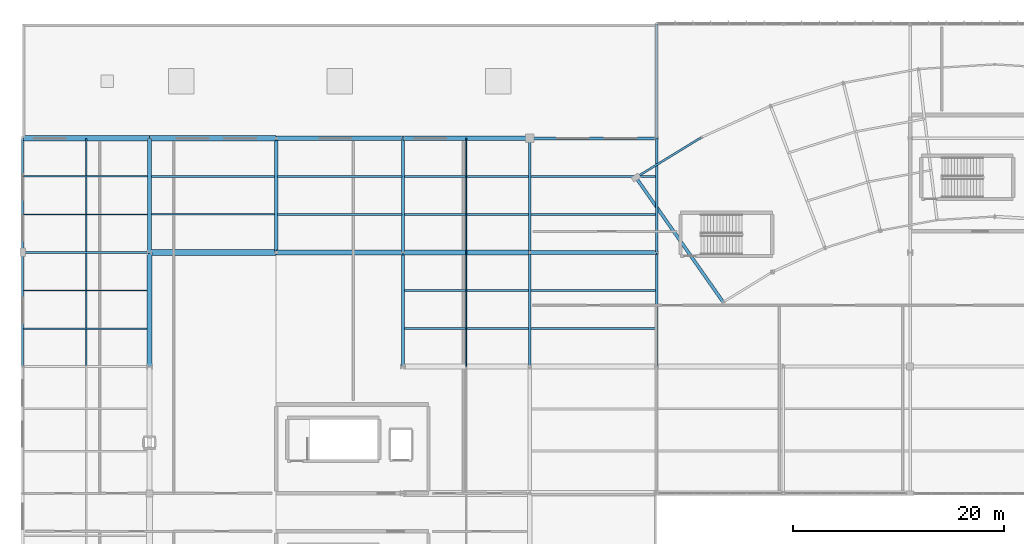
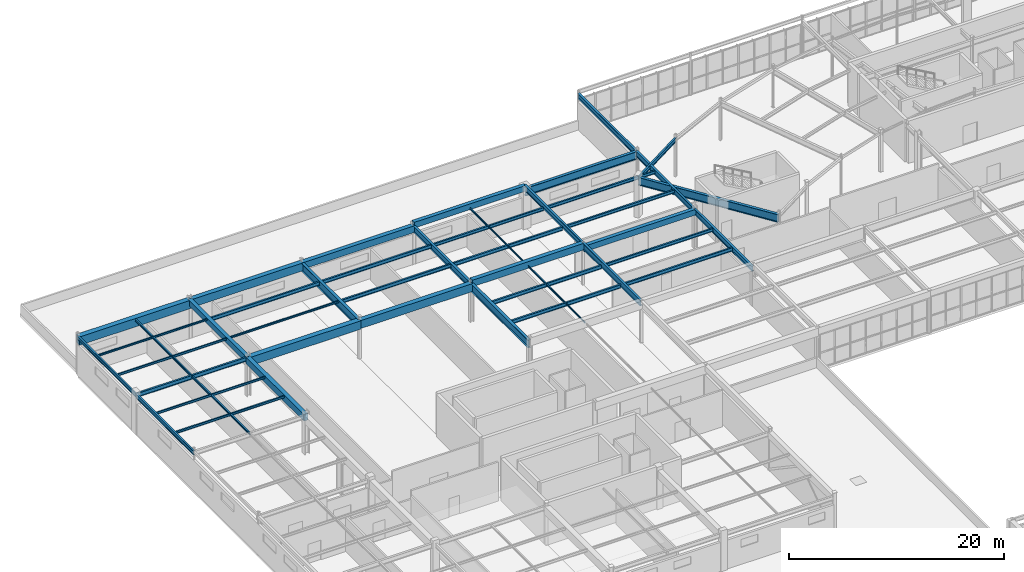
# One storey, part 72 of 186: 40 beams, 2 members.
"""IFC4 building model written with IfcOpenShell, lengths in metres."""

from ifc_helpers import new_model, si_unit, direction, frame, origin, origin_2d, place, context, subcontext, project, spatial, rectangle, i_section, extrude, material, material_profile, profile_set, type_object, element, save


model = new_model("IFC4")

# Units and contexts
model_context = context("Model", 3, precision=1e-05, world=origin(), true_north=direction((0.0, 1.0)))
body_context = subcontext(model_context, "Body", "Model", "MODEL_VIEW")
ifc_project = project(units=[si_unit("LENGTHUNIT", "METRE"), si_unit("AREAUNIT", "SQUARE_METRE"), si_unit("VOLUMEUNIT", "CUBIC_METRE"), si_unit("PLANEANGLEUNIT", "RADIAN"), si_unit("MASSUNIT", "GRAM", prefix="KILO")], contexts=[model_context])

# Site, building, storey
site_placement = place(None, origin())
site = spatial("IfcSite", under=ifc_project, at=site_placement, CompositionType="ELEMENT")
building_placement = place(site_placement, origin())
building = spatial("IfcBuilding", under=site, at=building_placement, Name="Tarnwether General Hospital", CompositionType="ELEMENT")
storey_placement = place(building_placement, frame((0.0, 0.0, 9.60009765625)))
storey = spatial("IfcBuildingStorey", under=building, at=storey_placement, Name="L02", CompositionType="ELEMENT", Elevation=9.60009765625)

# Beams
ifc_material_1 = material(Name="Steel Grade 350 (350 MPa)", Category="steel")
ifc_material_profile_1 = material_profile(ifc_material_1, i_section(OverallWidth=0.300048828125, OverallDepth=0.89990234375, WebThickness=0.011962890625, FlangeThickness=0.02001953125, at=origin_2d()), Name="900WB175")
ifc_profile_set_1 = profile_set([ifc_material_profile_1], Name="Steel Grade 350 (350 MPa)")
beam_type_1 = type_object("IfcBeamType", Name="BM-G01", PredefinedType="BEAM", material=ifc_profile_set_1)
beam_1_placement = place(storey_placement, frame((24.0, 104.39990234375, 3.97998046875), z_axis=(0.0, 1.0, 0.0), x_axis=(-1.0, 0.0, 0.0)))
element("IfcBeam", 1, at=beam_1_placement, inside=storey, type_object=beam_type_1, Name="Primary Girder BMG-L02-2400_10440-2400_11520-1465", PredefinedType="BEAM", context=body_context, shape_type="SweptSolid", body=[
    extrude(i_section(OverallWidth=0.300048828125, OverallDepth=0.89990234375, WebThickness=0.011962890625, FlangeThickness=0.02001953125, at=origin_2d()), origin(), (0.0, 0.0, 1.0), 10.800048828125),
])
beam_2_placement = place(storey_placement, frame((36.0, 93.60009765625, 3.97998046875), z_axis=(0.0, 1.0, 0.0), x_axis=(-1.0, 0.0, 0.0)))
element("IfcBeam", 2, at=beam_2_placement, inside=storey, type_object=beam_type_1, Name="Primary Girder BMG-L02-3600_9360-3600_10440-1472", PredefinedType="BEAM", context=body_context, shape_type="SweptSolid", body=[
    extrude(i_section(OverallWidth=0.300048828125, OverallDepth=0.89990234375, WebThickness=0.011962890625, FlangeThickness=0.02001953125, at=origin_2d()), origin(), (0.0, 0.0, 1.0), 10.7998046875),
])
beam_3_placement = place(storey_placement, frame((48.0, 115.199951171875, 3.97998046875), z_axis=(1.0, 0.0, 0.0), x_axis=(0.0, 1.0, 0.0)))
element("IfcBeam", 3, at=beam_3_placement, inside=storey, type_object=beam_type_1, Name="Primary Girder BMG-L02-4800_11520-6000_11520-1484", PredefinedType="BEAM", context=body_context, shape_type="SweptSolid", body=[
    extrude(i_section(OverallWidth=0.300048828125, OverallDepth=0.89990234375, WebThickness=0.011962890625, FlangeThickness=0.02001953125, at=origin_2d()), origin(), (0.0, 0.0, 1.0), 12.0),
])
beam_4_placement = place(storey_placement, frame((58.0439453125, 111.493896484375, 3.97998046875), z_axis=(0.573596601347, -0.819137924237, 0.0), x_axis=(0.819137924237, 0.573596601347, 0.0)))
element("IfcBeam", 4, at=beam_4_placement, inside=storey, type_object=beam_type_1, Name="Curved Ward NW Radial Girder BMG-L02-5804_11149-6630_9970-1885", PredefinedType="BEAM", context=body_context, shape_type="SweptSolid", body=[
    extrude(i_section(OverallWidth=0.300048828125, OverallDepth=0.89990234375, WebThickness=0.011962890625, FlangeThickness=0.02001953125, at=origin_2d()), origin(), (0.0, 0.0, 1.0), 14.400390625),
])
ifc_material_2 = material(Name="Steel Grade 350 (350 MPa)", Category="steel")
ifc_material_profile_2 = material_profile(ifc_material_2, i_section(OverallWidth=0.25, OverallDepth=0.69189453125, WebThickness=0.009033203125, FlangeThickness=0.01611328125, at=origin_2d()), Name="700WB115")
ifc_profile_set_2 = profile_set([ifc_material_profile_2], Name="Steel Grade 350 (350 MPa)")
beam_type_2 = type_object("IfcBeamType", Name="BM-G02", PredefinedType="BEAM", material=ifc_profile_set_2)
beam_5_placement = place(storey_placement, frame((36.0, 104.39990234375, 4.083984375), z_axis=(0.0, 1.0, 0.0), x_axis=(-1.0, 0.0, 0.0)))
element("IfcBeam", 5, at=beam_5_placement, inside=storey, type_object=beam_type_2, Name="Primary Girder BMG-L02-3600_10440-3600_11520-1474", PredefinedType="BEAM", context=body_context, shape_type="SweptSolid", body=[
    extrude(i_section(OverallWidth=0.25, OverallDepth=0.69189453125, WebThickness=0.009033203125, FlangeThickness=0.01611328125, at=origin_2d()), origin(), (0.0, 0.0, 1.0), 10.800048828125),
])
beam_6_placement = place(storey_placement, frame((48.0, 93.60009765625, 4.453857421875), z_axis=(0.0, 1.0, 0.0), x_axis=(-1.0, 0.0, 0.0)))
element("IfcBeam", 6, at=beam_6_placement, inside=storey, type_object=beam_type_2, Name="Primary Girder BMG-L02-4800_9360-4800_10440-1481", PredefinedType="BEAM", context=body_context, shape_type="SweptSolid", body=[
    extrude(i_section(OverallWidth=0.25, OverallDepth=0.69189453125, WebThickness=0.009033203125, FlangeThickness=0.01611328125, at=origin_2d()), origin(), (0.0, 0.0, 1.0), 10.7998046875),
])
ifc_material_3 = material(Name="Steel Grade 350 (350 MPa)", Category="steel")
ifc_material_profile_3 = material_profile(ifc_material_3, i_section(OverallWidth=0.22900390625, OverallDepth=0.612060546875, WebThickness=0.011962890625, FlangeThickness=0.01953125, at=origin_2d()), Name="610UB125")
ifc_profile_set_3 = profile_set([ifc_material_profile_3], Name="Steel Grade 350 (350 MPa)")
beam_type_3 = type_object("IfcBeamType", Name="BM-G03", PredefinedType="BEAM", material=ifc_profile_set_3)
beam_7_placement = place(storey_placement, frame((48.0, 104.39990234375, 4.493896484375), z_axis=(0.0, 1.0, 0.0), x_axis=(-1.0, 0.0, 0.0)))
element("IfcBeam", 7, at=beam_7_placement, inside=storey, type_object=beam_type_3, Name="Primary Girder BMG-L02-4800_10440-4800_11520-1483", PredefinedType="BEAM", context=body_context, shape_type="SweptSolid", body=[
    extrude(i_section(OverallWidth=0.22900390625, OverallDepth=0.612060546875, WebThickness=0.011962890625, FlangeThickness=0.01953125, at=origin_2d()), origin(), (0.0, 0.0, 1.0), 10.800048828125),
])
beam_8_placement = place(storey_placement, frame((60.0, 93.60009765625, 4.1240234375), z_axis=(0.0, 1.0, 0.0), x_axis=(-1.0, 0.0, 0.0)))
element("IfcBeam", 8, at=beam_8_placement, inside=storey, type_object=beam_type_3, Name="Primary Girder BMG-L02-6000_9360-6000_10440-1493", PredefinedType="BEAM", context=body_context, shape_type="SweptSolid", body=[
    extrude(i_section(OverallWidth=0.22900390625, OverallDepth=0.612060546875, WebThickness=0.011962890625, FlangeThickness=0.01953125, at=origin_2d()), origin(), (0.0, 0.0, 1.0), 10.7998046875),
])
ifc_material_4 = material(Name="Steel Grade 350 (350 MPa)", Category="steel")
ifc_material_profile_4 = material_profile(ifc_material_4, i_section(OverallWidth=0.22802734375, OverallDepth=0.60693359375, WebThickness=0.01123046875, FlangeThickness=0.017333984375, at=origin_2d()), Name="610UB113")
ifc_profile_set_4 = profile_set([ifc_material_profile_4], Name="Steel Grade 350 (350 MPa)")
beam_type_4 = type_object("IfcBeamType", Name="BM-G04", PredefinedType="BEAM", material=ifc_profile_set_4)
beam_9_placement = place(storey_placement, frame((60.0, 104.39990234375, 4.12646484375), z_axis=(0.0, 1.0, 0.0), x_axis=(-1.0, 0.0, 0.0)))
element("IfcBeam", 9, at=beam_9_placement, inside=storey, type_object=beam_type_4, Name="Primary Girder BMG-L02-6000_10440-6000_11520-1494", PredefinedType="BEAM", context=body_context, shape_type="SweptSolid", body=[
    extrude(i_section(OverallWidth=0.22802734375, OverallDepth=0.60693359375, WebThickness=0.01123046875, FlangeThickness=0.017333984375, at=origin_2d()), origin(), (0.0, 0.0, 1.0), 10.800048828125),
])
ifc_material_5 = material(Name="Steel Grade 350 (350 MPa)", Category="steel")
ifc_material_profile_5 = material_profile(ifc_material_5, i_section(OverallWidth=0.22802734375, OverallDepth=0.60205078125, WebThickness=0.010498046875, FlangeThickness=0.014892578125, at=origin_2d()), Name="610UB101")
ifc_profile_set_5 = profile_set([ifc_material_profile_5], Name="Steel Grade 350 (350 MPa)")
beam_type_5 = type_object("IfcBeamType", Name="BM-G05", PredefinedType="BEAM", material=ifc_profile_set_5)
beam_10_placement = place(storey_placement, frame((60.0, 115.199951171875, 4.12890625), z_axis=(0.0, 1.0, 0.0), x_axis=(-1.0, 0.0, 0.0)))
element("IfcBeam", 10, at=beam_10_placement, inside=storey, type_object=beam_type_5, Name="Primary Girder BMG-L02-6000_11520-6000_12600-1495", PredefinedType="BEAM", context=body_context, shape_type="SweptSolid", body=[
    extrude(i_section(OverallWidth=0.22802734375, OverallDepth=0.60205078125, WebThickness=0.010498046875, FlangeThickness=0.014892578125, at=origin_2d()), origin(), (0.0, 0.0, 1.0), 10.800048828125),
])
ifc_material_6 = material(Name="Steel Grade 350 (350 MPa)", Category="steel")
ifc_material_profile_6 = material_profile(ifc_material_6, i_section(OverallWidth=0.18994140625, OverallDepth=0.4541015625, WebThickness=0.008544921875, FlangeThickness=0.0126953125, at=origin_2d()), Name="460UB67.1")
ifc_profile_set_6 = profile_set([ifc_material_profile_6], Name="Steel Grade 350 (350 MPa)")
beam_type_6 = type_object("IfcBeamType", Name="BM-G10", PredefinedType="BEAM", material=ifc_profile_set_6)
beam_11_placement = place(storey_placement, frame((0.0, 104.39990234375, 4.202880859375), z_axis=(1.0, 0.0, 0.0), x_axis=(0.0, 1.0, 0.0)))
element("IfcBeam", 11, at=beam_11_placement, inside=storey, type_object=beam_type_6, Name="Primary Girder BMG-L02-0_10440-1200_10440-1449", PredefinedType="BEAM", context=body_context, shape_type="SweptSolid", body=[
    extrude(i_section(OverallWidth=0.18994140625, OverallDepth=0.4541015625, WebThickness=0.008544921875, FlangeThickness=0.0126953125, at=origin_2d()), origin(), (0.0, 0.0, 1.0), 12.0),
])
ifc_material_7 = material(Name="Concrete 40 MPa", Category="concrete")
ifc_material_profile_7 = material_profile(ifc_material_7, rectangle(XDim=0.550048828125, YDim=0.949951171875, at=origin_2d()), Name="RC-BM-550x950")
ifc_profile_set_7 = profile_set([ifc_material_profile_7], Name="Concrete 40 MPa")
beam_type_7 = type_object("IfcBeamType", Name="BM-G11", PredefinedType="BEAM", material=ifc_profile_set_7)
for number, where, z_axis, x_axis, name in (
    (12, (0.0, 115.199951171875, 3.954833984375), (1.0, 0.0, 0.0), (0.0, 1.0, 0.0), "Primary Girder BMG-L02-0_11520-1200_11520-1451"),
    (13, (12.0, 104.39990234375, 3.954833984375), (1.0, 0.0, 0.0), (0.0, 1.0, 0.0), "Primary Girder BMG-L02-1200_10440-2400_10440-1458"),
):
    element("IfcBeam", number, at=place(storey_placement, frame(where, z_axis=z_axis, x_axis=x_axis)), inside=storey, type_object=beam_type_7, Name=name, PredefinedType="BEAM", context=body_context, shape_type="SweptSolid", body=[
        extrude(rectangle(XDim=0.550048828125, YDim=0.949951171875, at=origin_2d()), origin(), (0.0, 0.0, 1.0), 12.0),
    ])
ifc_material_8 = material(Name="Concrete 40 MPa", Category="concrete")
ifc_material_profile_8 = material_profile(ifc_material_8, rectangle(XDim=0.5, YDim=0.89990234375, at=origin_2d()), Name="RC-BM-500x900")
ifc_profile_set_8 = profile_set([ifc_material_profile_8], Name="Concrete 40 MPa")
beam_type_8 = type_object("IfcBeamType", Name="BM-G12", PredefinedType="BEAM", material=ifc_profile_set_8)
for number, where, z_axis, x_axis, name in (
    (14, (12.0, 115.199951171875, 3.97998046875), (1.0, 0.0, 0.0), (0.0, 1.0, 0.0), "Primary Girder BMG-L02-1200_11520-2400_11520-1460"),
    (15, (24.0, 104.39990234375, 3.97998046875), (1.0, 0.0, 0.0), (0.0, 1.0, 0.0), "Primary Girder BMG-L02-2400_10440-3600_10440-1464"),
):
    element("IfcBeam", number, at=place(storey_placement, frame(where, z_axis=z_axis, x_axis=x_axis)), inside=storey, type_object=beam_type_8, Name=name, PredefinedType="BEAM", context=body_context, shape_type="SweptSolid", body=[
        extrude(rectangle(XDim=0.5, YDim=0.89990234375, at=origin_2d()), origin(), (0.0, 0.0, 1.0), 12.0),
    ])
ifc_material_9 = material(Name="Concrete 40 MPa", Category="concrete")
ifc_material_profile_9 = material_profile(ifc_material_9, rectangle(XDim=0.449951171875, YDim=0.75, at=origin_2d()), Name="RC-BM-450x750")
ifc_profile_set_9 = profile_set([ifc_material_profile_9], Name="Concrete 40 MPa")
beam_type_9 = type_object("IfcBeamType", Name="BM-G13", PredefinedType="BEAM", material=ifc_profile_set_9)
beam_12_placement = place(storey_placement, frame((12.0, 93.60009765625, 4.054931640625), z_axis=(0.0, 1.0, 0.0), x_axis=(-1.0, 0.0, 0.0)))
element("IfcBeam", 16, at=beam_12_placement, inside=storey, type_object=beam_type_9, Name="Primary Girder BMG-L02-1200_9360-1200_10440-1457", PredefinedType="BEAM", context=body_context, shape_type="SweptSolid", body=[
    extrude(rectangle(XDim=0.449951171875, YDim=0.75, at=origin_2d()), origin(), (0.0, 0.0, 1.0), 10.7998046875),
])
for number, where, z_axis, x_axis, name in (
    (17, (24.0, 115.199951171875, 4.054931640625), (1.0, 0.0, 0.0), (0.0, 1.0, 0.0), "Primary Girder BMG-L02-2400_11520-3600_11520-1466"),
    (18, (36.0, 104.39990234375, 4.4248046875), (1.0, 0.0, 0.0), (0.0, 1.0, 0.0), "Primary Girder BMG-L02-3600_10440-4800_10440-1473"),
):
    element("IfcBeam", number, at=place(storey_placement, frame(where, z_axis=z_axis, x_axis=x_axis)), inside=storey, type_object=beam_type_9, Name=name, PredefinedType="BEAM", context=body_context, shape_type="SweptSolid", body=[
        extrude(rectangle(XDim=0.449951171875, YDim=0.75, at=origin_2d()), origin(), (0.0, 0.0, 1.0), 12.0),
    ])
ifc_material_10 = material(Name="Concrete 40 MPa", Category="concrete")
ifc_material_profile_10 = material_profile(ifc_material_10, rectangle(XDim=0.39990234375, YDim=0.64990234375, at=origin_2d()), Name="RC-BM-400x650")
ifc_profile_set_10 = profile_set([ifc_material_profile_10], Name="Concrete 40 MPa")
beam_type_10 = type_object("IfcBeamType", Name="BM-G14", PredefinedType="BEAM", material=ifc_profile_set_10)
beam_13_placement = place(storey_placement, frame((12.0, 104.39990234375, 4.10498046875), z_axis=(0.0, 1.0, 0.0), x_axis=(-1.0, 0.0, 0.0)))
element("IfcBeam", 19, at=beam_13_placement, inside=storey, type_object=beam_type_10, Name="Primary Girder BMG-L02-1200_10440-1200_11520-1459", PredefinedType="BEAM", context=body_context, shape_type="SweptSolid", body=[
    extrude(rectangle(XDim=0.39990234375, YDim=0.64990234375, at=origin_2d()), origin(), (0.0, 0.0, 1.0), 10.800048828125),
])
for number, where, z_axis, x_axis, name in (
    (20, (36.0, 115.199951171875, 4.474853515625), (1.0, 0.0, 0.0), (0.0, 1.0, 0.0), "Primary Girder BMG-L02-3600_11520-4800_11520-1475"),
    (21, (48.0, 104.39990234375, 4.10498046875), (1.0, 0.0, 0.0), (0.0, 1.0, 0.0), "Primary Girder BMG-L02-4800_10440-6000_10440-1482"),
):
    element("IfcBeam", number, at=place(storey_placement, frame(where, z_axis=z_axis, x_axis=x_axis)), inside=storey, type_object=beam_type_10, Name=name, PredefinedType="BEAM", context=body_context, shape_type="SweptSolid", body=[
        extrude(rectangle(XDim=0.39990234375, YDim=0.64990234375, at=origin_2d()), origin(), (0.0, 0.0, 1.0), 12.0),
    ])
ifc_material_11 = material(Name="Steel Grade 350 (350 MPa)", Category="steel")
ifc_material_profile_11 = material_profile(ifc_material_11, i_section(OverallWidth=0.177978515625, OverallDepth=0.406005859375, WebThickness=0.0078125, FlangeThickness=0.0126953125, at=origin_2d()), Name="410UB59.7")
ifc_profile_set_11 = profile_set([ifc_material_profile_11], Name="Steel Grade 350 (350 MPa)")
beam_type_11 = type_object("IfcBeamType", Name="BM-J01", PredefinedType="JOIST", material=ifc_profile_set_11)
beam_14_placement = place(storey_placement, frame((12.194091796875, 111.60009765625, 4.226806640625), z_axis=(1.0, 0.0, 0.0), x_axis=(0.0, 1.0, 0.0)))
element("IfcBeam", 22, at=beam_14_placement, inside=storey, type_object=beam_type_11, Name="Composite Floor Joist BMG-L02-1219_11160-2386_11160-1661", PredefinedType="JOIST", context=body_context, shape_type="SweptSolid", body=[
    extrude(i_section(OverallWidth=0.177978515625, OverallDepth=0.406005859375, WebThickness=0.0078125, FlangeThickness=0.0126953125, at=origin_2d()), origin(), (0.0, 0.0, 1.0), 11.661865234375),
])
for number, where, z_axis, x_axis, name in (
    (23, (24.14404296875, 108.0, 4.226806640625), (1.0, 0.0, 0.0), (0.0, 1.0, 0.0), "Composite Floor Joist BMG-L02-2414_10800-3588_10800-1664"),
    (24, (36.14404296875, 97.199951171875, 4.226806640625), (1.0, 0.0, 0.0), (0.0, 1.0, 0.0), "Composite Floor Joist BMG-L02-3614_9720-4788_9720-1668"),
):
    element("IfcBeam", number, at=place(storey_placement, frame(where, z_axis=z_axis, x_axis=x_axis)), inside=storey, type_object=beam_type_11, Name=name, PredefinedType="JOIST", context=body_context, shape_type="SweptSolid", body=[
        extrude(i_section(OverallWidth=0.177978515625, OverallDepth=0.406005859375, WebThickness=0.0078125, FlangeThickness=0.0126953125, at=origin_2d()), origin(), (0.0, 0.0, 1.0), 11.737060546875),
    ])
ifc_material_12 = material(Name="Steel Grade 350 (350 MPa)", Category="steel")
ifc_material_profile_12 = material_profile(ifc_material_12, i_section(OverallWidth=0.177978515625, OverallDepth=0.403076171875, WebThickness=0.007568359375, FlangeThickness=0.010986328125, at=origin_2d()), Name="410UB53.7")
ifc_profile_set_12 = profile_set([ifc_material_profile_12], Name="Steel Grade 350 (350 MPa)")
beam_type_12 = type_object("IfcBeamType", Name="BM-J02", PredefinedType="JOIST", material=ifc_profile_set_12)
for number, where, z_axis, x_axis, name in (
    (25, (24.14404296875, 111.60009765625, 4.228515625), (1.0, 0.0, 0.0), (0.0, 1.0, 0.0), "Composite Floor Joist BMG-L02-2414_11160-3588_11160-1665"),
    (26, (36.14404296875, 100.800048828125, 4.228515625), (1.0, 0.0, 0.0), (0.0, 1.0, 0.0), "Composite Floor Joist BMG-L02-3614_10080-4788_10080-1669"),
):
    element("IfcBeam", number, at=place(storey_placement, frame(where, z_axis=z_axis, x_axis=x_axis)), inside=storey, type_object=beam_type_12, Name=name, PredefinedType="JOIST", context=body_context, shape_type="SweptSolid", body=[
        extrude(i_section(OverallWidth=0.177978515625, OverallDepth=0.403076171875, WebThickness=0.007568359375, FlangeThickness=0.010986328125, at=origin_2d()), origin(), (0.0, 0.0, 1.0), 11.737060546875),
    ])
for number, where, z_axis, x_axis, name in (
    (27, (36.118896484375, 108.0, 4.228515625), (1.0, 0.0, 0.0), (0.0, 1.0, 0.0), "Composite Floor Joist BMG-L02-3612_10800-4789_10800-1670"),
    (28, (48.118896484375, 97.199951171875, 4.228515625), (1.0, 0.0, 0.0), (0.0, 1.0, 0.0), "Composite Floor Joist BMG-L02-4812_9720-5989_9720-1674"),
):
    element("IfcBeam", number, at=place(storey_placement, frame(where, z_axis=z_axis, x_axis=x_axis)), inside=storey, type_object=beam_type_12, Name=name, PredefinedType="JOIST", context=body_context, shape_type="SweptSolid", body=[
        extrude(i_section(OverallWidth=0.177978515625, OverallDepth=0.403076171875, WebThickness=0.007568359375, FlangeThickness=0.010986328125, at=origin_2d()), origin(), (0.0, 0.0, 1.0), 11.773193359375),
    ])
ifc_material_13 = material(Name="Steel Grade 350 (350 MPa)", Category="steel")
ifc_material_profile_13 = material_profile(ifc_material_13, i_section(OverallWidth=0.172119140625, OverallDepth=0.35888671875, WebThickness=0.008056640625, FlangeThickness=0.012939453125, at=origin_2d()), Name="360UB56.7")
ifc_profile_set_13 = profile_set([ifc_material_profile_13], Name="Steel Grade 350 (350 MPa)")
beam_type_13 = type_object("IfcBeamType", Name="BM-J03", PredefinedType="JOIST", material=ifc_profile_set_13)
for number, where, z_axis, x_axis, name in (
    (29, (36.118896484375, 111.60009765625, 4.25048828125), (1.0, 0.0, 0.0), (0.0, 1.0, 0.0), "Composite Floor Joist BMG-L02-3612_11160-4789_11160-1671"),
    (30, (48.118896484375, 100.800048828125, 4.25048828125), (1.0, 0.0, 0.0), (0.0, 1.0, 0.0), "Composite Floor Joist BMG-L02-4812_10080-5989_10080-1675"),
):
    element("IfcBeam", number, at=place(storey_placement, frame(where, z_axis=z_axis, x_axis=x_axis)), inside=storey, type_object=beam_type_13, Name=name, PredefinedType="JOIST", context=body_context, shape_type="SweptSolid", body=[
        extrude(i_section(OverallWidth=0.172119140625, OverallDepth=0.35888671875, WebThickness=0.008056640625, FlangeThickness=0.012939453125, at=origin_2d()), origin(), (0.0, 0.0, 1.0), 11.773193359375),
    ])
beam_15_placement = place(storey_placement, frame((48.10791015625, 108.0, 4.25048828125), z_axis=(1.0, 0.0, 0.0), x_axis=(0.0, 1.0, 0.0)))
element("IfcBeam", 31, at=beam_15_placement, inside=storey, type_object=beam_type_13, Name="Composite Floor Joist BMG-L02-4811_10800-5989_10800-1676", PredefinedType="JOIST", context=body_context, shape_type="SweptSolid", body=[
    extrude(i_section(OverallWidth=0.172119140625, OverallDepth=0.35888671875, WebThickness=0.008056640625, FlangeThickness=0.012939453125, at=origin_2d()), origin(), (0.0, 0.0, 1.0), 11.7841796875),
])
ifc_material_14 = material(Name="Steel Grade 350 (350 MPa)", Category="steel")
ifc_material_profile_14 = material_profile(ifc_material_14, i_section(OverallWidth=0.1708984375, OverallDepth=0.35595703125, WebThickness=0.00732421875, FlangeThickness=0.011474609375, at=origin_2d()), Name="360UB50.7")
ifc_profile_set_14 = profile_set([ifc_material_profile_14], Name="Steel Grade 350 (350 MPa)")
beam_type_14 = type_object("IfcBeamType", Name="BM-J04", PredefinedType="JOIST", material=ifc_profile_set_14)
beam_16_placement = place(storey_placement, frame((48.10791015625, 111.60009765625, 4.251953125), z_axis=(1.0, 0.0, 0.0), x_axis=(0.0, 1.0, 0.0)))
element("IfcBeam", 32, at=beam_16_placement, inside=storey, type_object=beam_type_14, Name="Composite Floor Joist BMG-L02-4811_11160-5989_11160-1677", PredefinedType="JOIST", context=body_context, shape_type="SweptSolid", body=[
    extrude(i_section(OverallWidth=0.1708984375, OverallDepth=0.35595703125, WebThickness=0.00732421875, FlangeThickness=0.011474609375, at=origin_2d()), origin(), (0.0, 0.0, 1.0), 11.7841796875),
])
ifc_material_15 = material(Name="Steel Grade 350 (350 MPa)", Category="steel")
ifc_material_profile_15 = material_profile(ifc_material_15, i_section(OverallWidth=0.14599609375, OverallDepth=0.251953125, WebThickness=0.006103515625, FlangeThickness=0.008544921875, at=origin_2d()), Name="250UB31.4")
ifc_profile_set_15 = profile_set([ifc_material_profile_15], Name="Steel Grade 350 (350 MPa)")
beam_type_15 = type_object("IfcBeamType", Name="BM-J10", PredefinedType="JOIST", material=ifc_profile_set_15)
beam_17_placement = place(storey_placement, frame((0.089111328125, 97.199951171875, 4.303955078125), z_axis=(1.0, 0.0, 0.0), x_axis=(0.0, 1.0, 0.0)))
element("IfcBeam", 33, at=beam_17_placement, inside=storey, type_object=beam_type_15, Name="Composite Floor Joist BMG-L02-9_9720-1178_9720-1654", PredefinedType="JOIST", context=body_context, shape_type="SweptSolid", body=[
    extrude(i_section(OverallWidth=0.14599609375, OverallDepth=0.251953125, WebThickness=0.006103515625, FlangeThickness=0.008544921875, at=origin_2d()), origin(), (0.0, 0.0, 1.0), 11.69189453125),
])
ifc_material_16 = material(Name="Steel Grade 350 (350 MPa)", Category="steel")
ifc_material_profile_16 = material_profile(ifc_material_16, i_section(OverallWidth=0.1240234375, OverallDepth=0.248046875, WebThickness=0.0048828125, FlangeThickness=0.008056640625, at=origin_2d()), Name="250UB25.7")
ifc_profile_set_16 = profile_set([ifc_material_profile_16], Name="Steel Grade 350 (350 MPa)")
beam_type_16 = type_object("IfcBeamType", Name="BM-J11", PredefinedType="JOIST", material=ifc_profile_set_16)
beam_18_placement = place(storey_placement, frame((0.089111328125, 100.800048828125, 4.305908203125), z_axis=(1.0, 0.0, 0.0), x_axis=(0.0, 1.0, 0.0)))
element("IfcBeam", 34, at=beam_18_placement, inside=storey, type_object=beam_type_16, Name="Composite Floor Joist BMG-L02-9_10080-1178_10080-1655", PredefinedType="JOIST", context=body_context, shape_type="SweptSolid", body=[
    extrude(i_section(OverallWidth=0.1240234375, OverallDepth=0.248046875, WebThickness=0.0048828125, FlangeThickness=0.008056640625, at=origin_2d()), origin(), (0.0, 0.0, 1.0), 11.69189453125),
])
beam_19_placement = place(storey_placement, frame((0.0830078125, 108.0, 4.305908203125), z_axis=(1.0, 0.0, 0.0), x_axis=(0.0, 1.0, 0.0)))
element("IfcBeam", 35, at=beam_19_placement, inside=storey, type_object=beam_type_16, Name="Composite Floor Joist BMG-L02-8_10800-1181_10800-1656", PredefinedType="JOIST", context=body_context, shape_type="SweptSolid", body=[
    extrude(i_section(OverallWidth=0.1240234375, OverallDepth=0.248046875, WebThickness=0.0048828125, FlangeThickness=0.008056640625, at=origin_2d()), origin(), (0.0, 0.0, 1.0), 11.722900390625),
])
ifc_material_17 = material(Name="Steel Grade 350 (350 MPa)", Category="steel")
ifc_material_profile_17 = material_profile(ifc_material_17, i_section(OverallWidth=0.134033203125, OverallDepth=0.20703125, WebThickness=0.00634765625, FlangeThickness=0.009521484375, at=origin_2d()), Name="200UB29.8")
ifc_profile_set_17 = profile_set([ifc_material_profile_17], Name="Steel Grade 350 (350 MPa)")
beam_type_17 = type_object("IfcBeamType", Name="BM-J12", PredefinedType="JOIST", material=ifc_profile_set_17)
beam_20_placement = place(storey_placement, frame((0.0830078125, 111.60009765625, 4.326416015625), z_axis=(1.0, 0.0, 0.0), x_axis=(0.0, 1.0, 0.0)))
element("IfcBeam", 36, at=beam_20_placement, inside=storey, type_object=beam_type_17, Name="Composite Floor Joist BMG-L02-8_11160-1181_11160-1657", PredefinedType="JOIST", context=body_context, shape_type="SweptSolid", body=[
    extrude(i_section(OverallWidth=0.134033203125, OverallDepth=0.20703125, WebThickness=0.00634765625, FlangeThickness=0.009521484375, at=origin_2d()), origin(), (0.0, 0.0, 1.0), 11.722900390625),
])
beam_21_placement = place(storey_placement, frame((12.194091796875, 108.0, 4.326416015625), z_axis=(1.0, 0.0, 0.0), x_axis=(0.0, 1.0, 0.0)))
element("IfcBeam", 37, at=beam_21_placement, inside=storey, type_object=beam_type_17, Name="Composite Floor Joist BMG-L02-1219_10800-2386_10800-1660", PredefinedType="JOIST", context=body_context, shape_type="SweptSolid", body=[
    extrude(i_section(OverallWidth=0.134033203125, OverallDepth=0.20703125, WebThickness=0.00634765625, FlangeThickness=0.009521484375, at=origin_2d()), origin(), (0.0, 0.0, 1.0), 11.661865234375),
])
ifc_material_18 = material(Name="Steel Grade 350 (350 MPa)", Category="steel")
ifc_material_profile_18 = material_profile(ifc_material_18, i_section(OverallWidth=0.18994140625, OverallDepth=0.4541015625, WebThickness=0.008544921875, FlangeThickness=0.0126953125, at=origin_2d()), Name="460UB67.1")
ifc_profile_set_18 = profile_set([ifc_material_profile_18], Name="Steel Grade 350 (350 MPa)")
beam_type_18 = type_object("IfcBeamType", Name="BM-SP1", PredefinedType="SPANDREL", material=ifc_profile_set_18)
beam_22_placement = place(storey_placement, frame((0.0, 93.60009765625, 4.202880859375), z_axis=(0.0, 1.0, 0.0), x_axis=(-1.0, 0.0, 0.0)))
element("IfcBeam", 38, at=beam_22_placement, inside=storey, type_object=beam_type_18, Name="Primary Girder BMG-L02-0_9360-0_10440-1448", PredefinedType="SPANDREL", context=body_context, shape_type="SweptSolid", body=[
    extrude(i_section(OverallWidth=0.18994140625, OverallDepth=0.4541015625, WebThickness=0.008544921875, FlangeThickness=0.0126953125, at=origin_2d()), origin(), (0.0, 0.0, 1.0), 10.7998046875),
])
beam_23_placement = place(storey_placement, frame((58.0439453125, 111.493896484375, 4.202880859375), z_axis=(0.852678430503, 0.522436114902, 0.0), x_axis=(-0.522436114902, 0.852678430503, 0.0)))
element("IfcBeam", 39, at=beam_23_placement, inside=storey, type_object=beam_type_18, Name="Curved Ward NW Outer Spandrel BMG-L02-5804_11149-6421_11527-1891", PredefinedType="SPANDREL", context=body_context, shape_type="SweptSolid", body=[
    extrude(i_section(OverallWidth=0.18994140625, OverallDepth=0.4541015625, WebThickness=0.008544921875, FlangeThickness=0.0126953125, at=origin_2d()), origin(), (0.0, 0.0, 1.0), 7.22802734375),
])
ifc_material_19 = material(Name="Steel Grade 350 (350 MPa)", Category="steel")
ifc_material_profile_19 = material_profile(ifc_material_19, i_section(OverallWidth=0.177978515625, OverallDepth=0.403076171875, WebThickness=0.007568359375, FlangeThickness=0.010986328125, at=origin_2d()), Name="410UB53.7")
ifc_profile_set_19 = profile_set([ifc_material_profile_19], Name="Steel Grade 350 (350 MPa)")
beam_type_19 = type_object("IfcBeamType", Name="BM-SP2", PredefinedType="SPANDREL", material=ifc_profile_set_19)
beam_24_placement = place(storey_placement, frame((0.0, 104.39990234375, 4.228515625), z_axis=(0.0, 1.0, 0.0), x_axis=(-1.0, 0.0, 0.0)))
element("IfcBeam", 40, at=beam_24_placement, inside=storey, type_object=beam_type_19, Name="Primary Girder BMG-L02-0_10440-0_11520-1450", PredefinedType="SPANDREL", context=body_context, shape_type="SweptSolid", body=[
    extrude(i_section(OverallWidth=0.177978515625, OverallDepth=0.403076171875, WebThickness=0.007568359375, FlangeThickness=0.010986328125, at=origin_2d()), origin(), (0.0, 0.0, 1.0), 10.800048828125),
])

# Members
ifc_material_20 = material(Name="Steel Grade 350 (350 MPa)", Category="steel")
ifc_material_profile_20 = material_profile(ifc_material_20, i_section(OverallWidth=0.14599609375, OverallDepth=0.256103515625, WebThickness=0.00634765625, FlangeThickness=0.010986328125, at=origin_2d()), Name="250UB37.3")
ifc_profile_set_20 = profile_set([ifc_material_profile_20], Name="Steel Grade 350 (350 MPa)")
member_type_1 = type_object("IfcMemberType", Name="MB-PR1", PredefinedType="PURLIN", material=ifc_profile_set_20)
member_1_placement = place(storey_placement, frame((6.0, 93.60009765625, 4.27978515625), z_axis=(0.0, 1.0, 0.0), x_axis=(-1.0, 0.0, 0.0)))
element("IfcMember", 41, at=member_1_placement, inside=storey, type_object=member_type_1, Name="Operating Suite Ceiling Purlin 020", PredefinedType="PURLIN", context=body_context, shape_type="SweptSolid", body=[
    extrude(i_section(OverallWidth=0.14599609375, OverallDepth=0.256103515625, WebThickness=0.00634765625, FlangeThickness=0.010986328125, at=origin_2d()), origin(), (0.0, 0.0, 1.0), 21.599853515625),
])
ifc_material_21 = material(Name="Steel Grade 350 (350 MPa)", Category="steel")
ifc_material_profile_21 = material_profile(ifc_material_21, i_section(OverallWidth=0.090087890625, OverallDepth=0.178955078125, WebThickness=0.006103515625, FlangeThickness=0.010986328125, at=origin_2d()), Name="180UB22.2")
ifc_profile_set_21 = profile_set([ifc_material_profile_21], Name="Steel Grade 350 (350 MPa)")
member_type_2 = type_object("IfcMemberType", Name="MB-PR4", PredefinedType="PURLIN", material=ifc_profile_set_21)
member_2_placement = place(storey_placement, frame((42.0, 93.60009765625, 4.27978515625), z_axis=(0.0, 1.0, 0.0), x_axis=(-1.0, 0.0, 0.0)))
element("IfcMember", 42, at=member_2_placement, inside=storey, type_object=member_type_2, Name="Operating Suite Ceiling Purlin 026", PredefinedType="PURLIN", context=body_context, shape_type="SweptSolid", body=[
    extrude(i_section(OverallWidth=0.090087890625, OverallDepth=0.178955078125, WebThickness=0.006103515625, FlangeThickness=0.010986328125, at=origin_2d()), origin(), (0.0, 0.0, 1.0), 21.599853515625),
])

save(model, "model.ifc")
